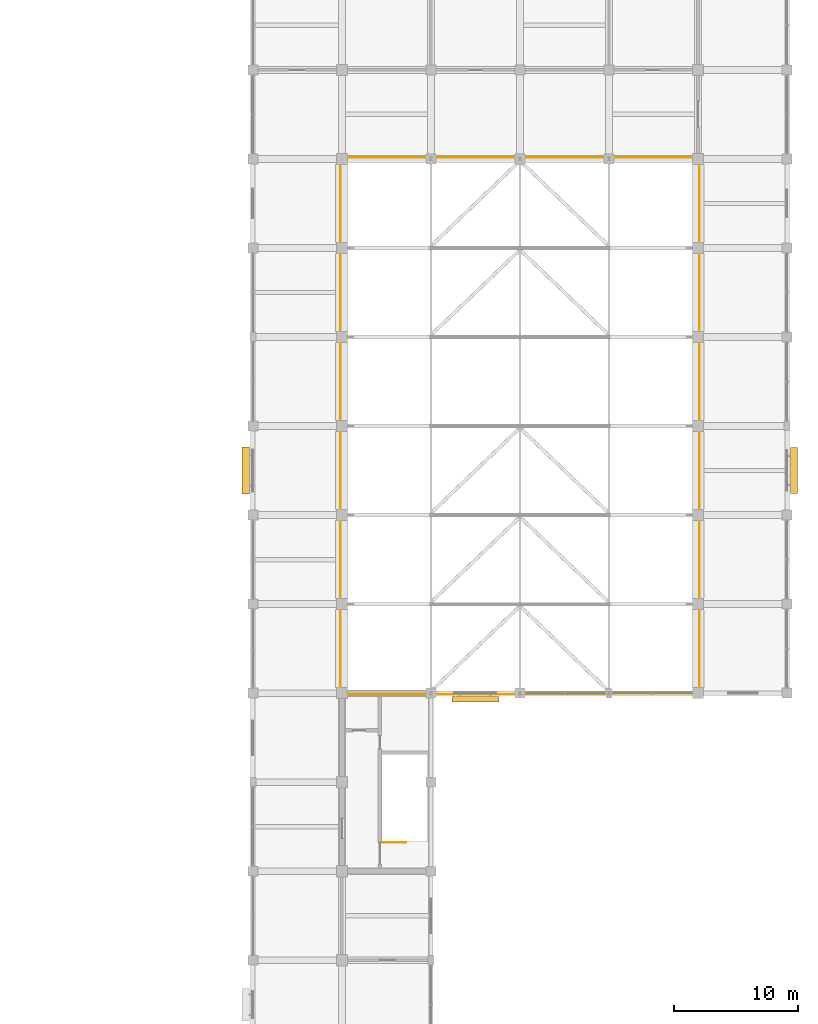
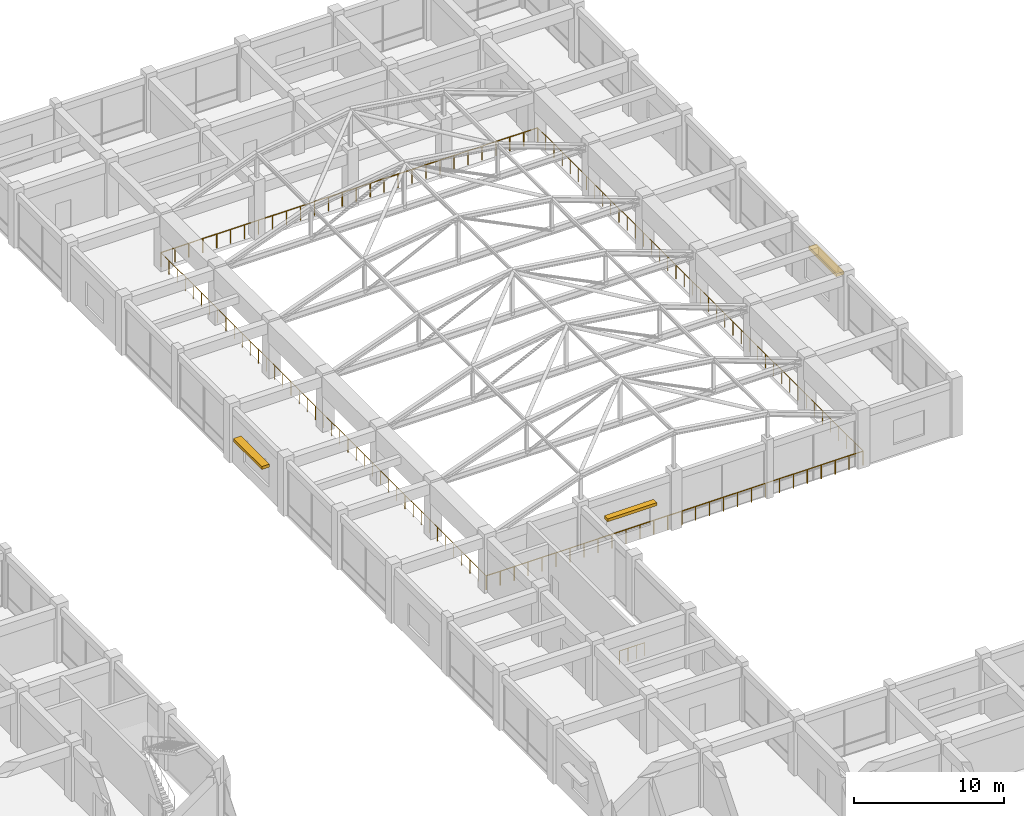
# One storey, part 75 of 75: 5 railings, 3 shading devices.
"""IFC4 building model written with IfcOpenShell, lengths in metres."""

from ifc_helpers import new_model, si_unit, direction, frame, origin, origin_2d, place, context, subcontext, project, spatial, rectangle, circle, extrude, material, type_object, element, save


model = new_model("IFC4")

# Units and contexts
model_context = context("Model", 3, precision=1e-05, world=origin(), true_north=direction((0.0, 1.0)))
body_context = subcontext(model_context, "Body", "Model", "MODEL_VIEW")
ifc_project = project(units=[si_unit("LENGTHUNIT", "METRE"), si_unit("AREAUNIT", "SQUARE_METRE"), si_unit("VOLUMEUNIT", "CUBIC_METRE"), si_unit("PLANEANGLEUNIT", "RADIAN"), si_unit("MASSUNIT", "GRAM", prefix="KILO")], contexts=[model_context])

# Site, building, storey
site_placement = place(None, origin())
site = spatial("IfcSite", under=ifc_project, at=site_placement, CompositionType="ELEMENT")
building_placement = place(site_placement, origin())
building = spatial("IfcBuilding", under=site, at=building_placement, Name="Cendaluz Park School", CompositionType="ELEMENT")
storey_placement = place(building_placement, frame((0.0, 0.0, 4.800048828125)))
storey = spatial("IfcBuildingStorey", under=building, at=storey_placement, Name="L01", CompositionType="ELEMENT", Elevation=4.800048828125)

# Railings
ifc_material_1 = material(Name="Wrought Iron")
railing_type_1 = type_object("IfcRailingType", Name="GR-ST01", PredefinedType="BALUSTRADE", material=ifc_material_1)
railing_1_placement = place(storey_placement, frame((140.0400390625, 45.52001953125, 0.0)))
element("IfcRailing", 1, at=railing_1_placement, inside=storey, type_object=railing_type_1, Name="GR-TOP-C8-L01", PredefinedType="BALUSTRADE", context=body_context, shape_type="SweptSolid", body=[
    extrude(circle(Radius=0.02392578125, at=origin_2d()), frame((0.0, 0.0, 1.076171875), z_axis=(1.0, 0.0, 0.0), x_axis=(0.0, 1.0, 0.0)), (0.0, 0.0, 1.0), 1.949951171875),
    extrude(circle(Radius=0.02099609375, at=origin_2d()), origin(), (0.0, 0.0, 1.0), 1.052001953125),
    extrude(circle(Radius=0.02099609375, at=origin_2d()), frame((0.64990234375, 0.0, 0.0)), (0.0, 0.0, 1.0), 1.052001953125),
    extrude(circle(Radius=0.02099609375, at=origin_2d()), frame((1.300048828125, 0.0, 0.0)), (0.0, 0.0, 1.0), 1.052001953125),
    extrude(circle(Radius=0.02099609375, at=origin_2d()), frame((1.949951171875, 0.0, 0.0)), (0.0, 0.0, 1.0), 1.052001953125),
])
ifc_material_2 = material(Name="Tempered Low-E Double Glazing", Category="glass")
railing_type_2 = type_object("IfcRailingType", Name="GR-VD01", PredefinedType="GUARDRAIL", material=ifc_material_2)
railing_2_placement = place(storey_placement, frame((136.679931640625, 57.47998046875, 0.0)))
element("IfcRailing", 2, at=railing_2_placement, inside=storey, type_object=railing_type_2, Name="GR-AH-VOID-1", PredefinedType="GUARDRAIL", context=body_context, shape_type="SweptSolid", body=[
    extrude(circle(Radius=0.02392578125, at=origin_2d()), frame((0.0, 0.0, 1.1259765625), z_axis=(1.0, 0.0, 0.0), x_axis=(0.0, 1.0, 0.0)), (0.0, 0.0, 1.0), 29.0400390625),
    extrude(circle(Radius=0.02099609375, at=origin_2d()), origin(), (0.0, 0.0, 1.0), 1.101806640625),
    extrude(circle(Radius=0.02099609375, at=origin_2d()), frame((1.075439453125, 0.0, 0.0)), (0.0, 0.0, 1.0), 1.101806640625),
    extrude(circle(Radius=0.02099609375, at=origin_2d()), frame((2.151123046875, 0.0, 0.0)), (0.0, 0.0, 1.0), 1.101806640625),
    extrude(circle(Radius=0.02099609375, at=origin_2d()), frame((3.2265625, 0.0, 0.0)), (0.0, 0.0, 1.0), 1.101806640625),
    extrude(circle(Radius=0.02099609375, at=origin_2d()), frame((4.30224609375, 0.0, 0.0)), (0.0, 0.0, 1.0), 1.101806640625),
    extrude(circle(Radius=0.02099609375, at=origin_2d()), frame((5.377685546875, 0.0, 0.0)), (0.0, 0.0, 1.0), 1.101806640625),
    extrude(circle(Radius=0.02099609375, at=origin_2d()), frame((6.453369140625, 0.0, 0.0)), (0.0, 0.0, 1.0), 1.101806640625),
    extrude(circle(Radius=0.02099609375, at=origin_2d()), frame((7.52880859375, 0.0, 0.0)), (0.0, 0.0, 1.0), 1.101806640625),
    extrude(circle(Radius=0.02099609375, at=origin_2d()), frame((8.6044921875, 0.0, 0.0)), (0.0, 0.0, 1.0), 1.101806640625),
    extrude(circle(Radius=0.02099609375, at=origin_2d()), frame((9.679931640625, 0.0, 0.0)), (0.0, 0.0, 1.0), 1.101806640625),
    extrude(circle(Radius=0.02099609375, at=origin_2d()), frame((10.755615234375, 0.0, 0.0)), (0.0, 0.0, 1.0), 1.101806640625),
    extrude(circle(Radius=0.02099609375, at=origin_2d()), frame((11.8310546875, 0.0, 0.0)), (0.0, 0.0, 1.0), 1.101806640625),
    extrude(circle(Radius=0.02099609375, at=origin_2d()), frame((12.90673828125, 0.0, 0.0)), (0.0, 0.0, 1.0), 1.101806640625),
    extrude(circle(Radius=0.02099609375, at=origin_2d()), frame((13.982177734375, 0.0, 0.0)), (0.0, 0.0, 1.0), 1.101806640625),
    extrude(circle(Radius=0.02099609375, at=origin_2d()), frame((15.057861328125, 0.0, 0.0)), (0.0, 0.0, 1.0), 1.101806640625),
    extrude(circle(Radius=0.02099609375, at=origin_2d()), frame((16.13330078125, 0.0, 0.0)), (0.0, 0.0, 1.0), 1.101806640625),
    extrude(circle(Radius=0.02099609375, at=origin_2d()), frame((17.208984375, 0.0, 0.0)), (0.0, 0.0, 1.0), 1.101806640625),
    extrude(circle(Radius=0.02099609375, at=origin_2d()), frame((18.284423828125, 0.0, 0.0)), (0.0, 0.0, 1.0), 1.101806640625),
    extrude(circle(Radius=0.02099609375, at=origin_2d()), frame((19.360107421875, 0.0, 0.0)), (0.0, 0.0, 1.0), 1.101806640625),
    extrude(circle(Radius=0.02099609375, at=origin_2d()), frame((20.435546875, 0.0, 0.0)), (0.0, 0.0, 1.0), 1.101806640625),
    extrude(circle(Radius=0.02099609375, at=origin_2d()), frame((21.51123046875, 0.0, 0.0)), (0.0, 0.0, 1.0), 1.101806640625),
    extrude(circle(Radius=0.02099609375, at=origin_2d()), frame((22.586669921875, 0.0, 0.0)), (0.0, 0.0, 1.0), 1.101806640625),
    extrude(circle(Radius=0.02099609375, at=origin_2d()), frame((23.662353515625, 0.0, 0.0)), (0.0, 0.0, 1.0), 1.101806640625),
    extrude(circle(Radius=0.02099609375, at=origin_2d()), frame((24.73779296875, 0.0, 0.0)), (0.0, 0.0, 1.0), 1.101806640625),
    extrude(circle(Radius=0.02099609375, at=origin_2d()), frame((25.8134765625, 0.0, 0.0)), (0.0, 0.0, 1.0), 1.101806640625),
    extrude(circle(Radius=0.02099609375, at=origin_2d()), frame((26.888916015625, 0.0, 0.0)), (0.0, 0.0, 1.0), 1.101806640625),
    extrude(circle(Radius=0.02099609375, at=origin_2d()), frame((27.964599609375, 0.0, 0.0)), (0.0, 0.0, 1.0), 1.101806640625),
    extrude(circle(Radius=0.02099609375, at=origin_2d()), frame((29.0400390625, 0.0, 0.0)), (0.0, 0.0, 1.0), 1.101806640625),
])
railing_3_placement = place(storey_placement, frame((165.719970703125, 57.47998046875, 0.0)))
element("IfcRailing", 3, at=railing_3_placement, inside=storey, type_object=railing_type_2, Name="GR-AH-VOID-2", PredefinedType="GUARDRAIL", context=body_context, shape_type="SweptSolid", body=[
    extrude(circle(Radius=0.02392578125, at=origin_2d()), frame((0.0, 0.0, 1.1259765625), z_axis=(0.0, 1.0, 0.0), x_axis=(-1.0, 0.0, 0.0)), (0.0, 0.0, 1.0), 43.43994140625),
    extrude(circle(Radius=0.02099609375, at=origin_2d()), origin(), (0.0, 0.0, 1.0), 1.101806640625),
    extrude(circle(Radius=0.02099609375, at=origin_2d()), frame((0.0, 1.0859375, 0.0)), (0.0, 0.0, 1.0), 1.101806640625),
    extrude(circle(Radius=0.02099609375, at=origin_2d()), frame((0.0, 2.171875, 0.0)), (0.0, 0.0, 1.0), 1.101806640625),
    extrude(circle(Radius=0.02099609375, at=origin_2d()), frame((0.0, 3.258056640625, 0.0)), (0.0, 0.0, 1.0), 1.101806640625),
    extrude(circle(Radius=0.02099609375, at=origin_2d()), frame((0.0, 4.343994140625, 0.0)), (0.0, 0.0, 1.0), 1.101806640625),
    extrude(circle(Radius=0.02099609375, at=origin_2d()), frame((0.0, 5.429931640625, 0.0)), (0.0, 0.0, 1.0), 1.101806640625),
    extrude(circle(Radius=0.02099609375, at=origin_2d()), frame((0.0, 6.51611328125, 0.0)), (0.0, 0.0, 1.0), 1.101806640625),
    extrude(circle(Radius=0.02099609375, at=origin_2d()), frame((0.0, 7.60205078125, 0.0)), (0.0, 0.0, 1.0), 1.101806640625),
    extrude(circle(Radius=0.02099609375, at=origin_2d()), frame((0.0, 8.68798828125, 0.0)), (0.0, 0.0, 1.0), 1.101806640625),
    extrude(circle(Radius=0.02099609375, at=origin_2d()), frame((0.0, 9.77392578125, 0.0)), (0.0, 0.0, 1.0), 1.101806640625),
    extrude(circle(Radius=0.02099609375, at=origin_2d()), frame((0.0, 10.85986328125, 0.0)), (0.0, 0.0, 1.0), 1.101806640625),
    extrude(circle(Radius=0.02099609375, at=origin_2d()), frame((0.0, 11.946044921875, 0.0)), (0.0, 0.0, 1.0), 1.101806640625),
    extrude(circle(Radius=0.02099609375, at=origin_2d()), frame((0.0, 13.031982421875, 0.0)), (0.0, 0.0, 1.0), 1.101806640625),
    extrude(circle(Radius=0.02099609375, at=origin_2d()), frame((0.0, 14.117919921875, 0.0)), (0.0, 0.0, 1.0), 1.101806640625),
    extrude(circle(Radius=0.02099609375, at=origin_2d()), frame((0.0, 15.203857421875, 0.0)), (0.0, 0.0, 1.0), 1.101806640625),
    extrude(circle(Radius=0.02099609375, at=origin_2d()), frame((0.0, 16.2900390625, 0.0)), (0.0, 0.0, 1.0), 1.101806640625),
    extrude(circle(Radius=0.02099609375, at=origin_2d()), frame((0.0, 17.3759765625, 0.0)), (0.0, 0.0, 1.0), 1.101806640625),
    extrude(circle(Radius=0.02099609375, at=origin_2d()), frame((0.0, 18.4619140625, 0.0)), (0.0, 0.0, 1.0), 1.101806640625),
    extrude(circle(Radius=0.02099609375, at=origin_2d()), frame((0.0, 19.5478515625, 0.0)), (0.0, 0.0, 1.0), 1.101806640625),
    extrude(circle(Radius=0.02099609375, at=origin_2d()), frame((0.0, 20.634033203125, 0.0)), (0.0, 0.0, 1.0), 1.101806640625),
    extrude(circle(Radius=0.02099609375, at=origin_2d()), frame((0.0, 21.719970703125, 0.0)), (0.0, 0.0, 1.0), 1.101806640625),
    extrude(circle(Radius=0.02099609375, at=origin_2d()), frame((0.0, 22.805908203125, 0.0)), (0.0, 0.0, 1.0), 1.101806640625),
    extrude(circle(Radius=0.02099609375, at=origin_2d()), frame((0.0, 23.89208984375, 0.0)), (0.0, 0.0, 1.0), 1.101806640625),
    extrude(circle(Radius=0.02099609375, at=origin_2d()), frame((0.0, 24.97802734375, 0.0)), (0.0, 0.0, 1.0), 1.101806640625),
    extrude(circle(Radius=0.02099609375, at=origin_2d()), frame((0.0, 26.06396484375, 0.0)), (0.0, 0.0, 1.0), 1.101806640625),
    extrude(circle(Radius=0.02099609375, at=origin_2d()), frame((0.0, 27.14990234375, 0.0)), (0.0, 0.0, 1.0), 1.101806640625),
    extrude(circle(Radius=0.02099609375, at=origin_2d()), frame((0.0, 28.23583984375, 0.0)), (0.0, 0.0, 1.0), 1.101806640625),
    extrude(circle(Radius=0.02099609375, at=origin_2d()), frame((0.0, 29.322021484375, 0.0)), (0.0, 0.0, 1.0), 1.101806640625),
    extrude(circle(Radius=0.02099609375, at=origin_2d()), frame((0.0, 30.407958984375, 0.0)), (0.0, 0.0, 1.0), 1.101806640625),
    extrude(circle(Radius=0.02099609375, at=origin_2d()), frame((0.0, 31.493896484375, 0.0)), (0.0, 0.0, 1.0), 1.101806640625),
    extrude(circle(Radius=0.02099609375, at=origin_2d()), frame((0.0, 32.580078125, 0.0)), (0.0, 0.0, 1.0), 1.101806640625),
    extrude(circle(Radius=0.02099609375, at=origin_2d()), frame((0.0, 33.666015625, 0.0)), (0.0, 0.0, 1.0), 1.101806640625),
    extrude(circle(Radius=0.02099609375, at=origin_2d()), frame((0.0, 34.751953125, 0.0)), (0.0, 0.0, 1.0), 1.101806640625),
    extrude(circle(Radius=0.02099609375, at=origin_2d()), frame((0.0, 35.837890625, 0.0)), (0.0, 0.0, 1.0), 1.101806640625),
    extrude(circle(Radius=0.02099609375, at=origin_2d()), frame((0.0, 36.923828125, 0.0)), (0.0, 0.0, 1.0), 1.101806640625),
    extrude(circle(Radius=0.02099609375, at=origin_2d()), frame((0.0, 38.010009765625, 0.0)), (0.0, 0.0, 1.0), 1.101806640625),
    extrude(circle(Radius=0.02099609375, at=origin_2d()), frame((0.0, 39.095947265625, 0.0)), (0.0, 0.0, 1.0), 1.101806640625),
    extrude(circle(Radius=0.02099609375, at=origin_2d()), frame((0.0, 40.181884765625, 0.0)), (0.0, 0.0, 1.0), 1.101806640625),
    extrude(circle(Radius=0.02099609375, at=origin_2d()), frame((0.0, 41.26806640625, 0.0)), (0.0, 0.0, 1.0), 1.101806640625),
    extrude(circle(Radius=0.02099609375, at=origin_2d()), frame((0.0, 42.35400390625, 0.0)), (0.0, 0.0, 1.0), 1.101806640625),
    extrude(circle(Radius=0.02099609375, at=origin_2d()), frame((0.0, 43.43994140625, 0.0)), (0.0, 0.0, 1.0), 1.101806640625),
])
railing_4_placement = place(storey_placement, frame((165.719970703125, 100.919921875, 0.0)))
element("IfcRailing", 4, at=railing_4_placement, inside=storey, type_object=railing_type_2, Name="GR-AH-VOID-3", PredefinedType="GUARDRAIL", context=body_context, shape_type="SweptSolid", body=[
    extrude(circle(Radius=0.02392578125, at=origin_2d()), frame((0.0, 0.0, 1.1259765625), z_axis=(-1.0, 0.0, 0.0), x_axis=(0.0, -1.0, 0.0)), (0.0, 0.0, 1.0), 29.0400390625),
    extrude(circle(Radius=0.02099609375, at=origin_2d()), origin(), (0.0, 0.0, 1.0), 1.101806640625),
    extrude(circle(Radius=0.02099609375, at=origin_2d()), frame((-1.075439453125, 0.0, 0.0)), (0.0, 0.0, 1.0), 1.101806640625),
    extrude(circle(Radius=0.02099609375, at=origin_2d()), frame((-2.151123046875, 0.0, 0.0)), (0.0, 0.0, 1.0), 1.101806640625),
    extrude(circle(Radius=0.02099609375, at=origin_2d()), frame((-3.2265625, 0.0, 0.0)), (0.0, 0.0, 1.0), 1.101806640625),
    extrude(circle(Radius=0.02099609375, at=origin_2d()), frame((-4.30224609375, 0.0, 0.0)), (0.0, 0.0, 1.0), 1.101806640625),
    extrude(circle(Radius=0.02099609375, at=origin_2d()), frame((-5.377685546875, 0.0, 0.0)), (0.0, 0.0, 1.0), 1.101806640625),
    extrude(circle(Radius=0.02099609375, at=origin_2d()), frame((-6.453369140625, 0.0, 0.0)), (0.0, 0.0, 1.0), 1.101806640625),
    extrude(circle(Radius=0.02099609375, at=origin_2d()), frame((-7.52880859375, 0.0, 0.0)), (0.0, 0.0, 1.0), 1.101806640625),
    extrude(circle(Radius=0.02099609375, at=origin_2d()), frame((-8.6044921875, 0.0, 0.0)), (0.0, 0.0, 1.0), 1.101806640625),
    extrude(circle(Radius=0.02099609375, at=origin_2d()), frame((-9.679931640625, 0.0, 0.0)), (0.0, 0.0, 1.0), 1.101806640625),
    extrude(circle(Radius=0.02099609375, at=origin_2d()), frame((-10.755615234375, 0.0, 0.0)), (0.0, 0.0, 1.0), 1.101806640625),
    extrude(circle(Radius=0.02099609375, at=origin_2d()), frame((-11.8310546875, 0.0, 0.0)), (0.0, 0.0, 1.0), 1.101806640625),
    extrude(circle(Radius=0.02099609375, at=origin_2d()), frame((-12.90673828125, 0.0, 0.0)), (0.0, 0.0, 1.0), 1.101806640625),
    extrude(circle(Radius=0.02099609375, at=origin_2d()), frame((-13.982177734375, 0.0, 0.0)), (0.0, 0.0, 1.0), 1.101806640625),
    extrude(circle(Radius=0.02099609375, at=origin_2d()), frame((-15.057861328125, 0.0, 0.0)), (0.0, 0.0, 1.0), 1.101806640625),
    extrude(circle(Radius=0.02099609375, at=origin_2d()), frame((-16.13330078125, 0.0, 0.0)), (0.0, 0.0, 1.0), 1.101806640625),
    extrude(circle(Radius=0.02099609375, at=origin_2d()), frame((-17.208984375, 0.0, 0.0)), (0.0, 0.0, 1.0), 1.101806640625),
    extrude(circle(Radius=0.02099609375, at=origin_2d()), frame((-18.284423828125, 0.0, 0.0)), (0.0, 0.0, 1.0), 1.101806640625),
    extrude(circle(Radius=0.02099609375, at=origin_2d()), frame((-19.360107421875, 0.0, 0.0)), (0.0, 0.0, 1.0), 1.101806640625),
    extrude(circle(Radius=0.02099609375, at=origin_2d()), frame((-20.435546875, 0.0, 0.0)), (0.0, 0.0, 1.0), 1.101806640625),
    extrude(circle(Radius=0.02099609375, at=origin_2d()), frame((-21.51123046875, 0.0, 0.0)), (0.0, 0.0, 1.0), 1.101806640625),
    extrude(circle(Radius=0.02099609375, at=origin_2d()), frame((-22.586669921875, 0.0, 0.0)), (0.0, 0.0, 1.0), 1.101806640625),
    extrude(circle(Radius=0.02099609375, at=origin_2d()), frame((-23.662353515625, 0.0, 0.0)), (0.0, 0.0, 1.0), 1.101806640625),
    extrude(circle(Radius=0.02099609375, at=origin_2d()), frame((-24.73779296875, 0.0, 0.0)), (0.0, 0.0, 1.0), 1.101806640625),
    extrude(circle(Radius=0.02099609375, at=origin_2d()), frame((-25.8134765625, 0.0, 0.0)), (0.0, 0.0, 1.0), 1.101806640625),
    extrude(circle(Radius=0.02099609375, at=origin_2d()), frame((-26.888916015625, 0.0, 0.0)), (0.0, 0.0, 1.0), 1.101806640625),
    extrude(circle(Radius=0.02099609375, at=origin_2d()), frame((-27.964599609375, 0.0, 0.0)), (0.0, 0.0, 1.0), 1.101806640625),
    extrude(circle(Radius=0.02099609375, at=origin_2d()), frame((-29.0400390625, 0.0, 0.0)), (0.0, 0.0, 1.0), 1.101806640625),
])
railing_5_placement = place(storey_placement, frame((136.679931640625, 100.919921875, 0.0)))
element("IfcRailing", 5, at=railing_5_placement, inside=storey, type_object=railing_type_2, Name="GR-AH-VOID-4", PredefinedType="GUARDRAIL", context=body_context, shape_type="SweptSolid", body=[
    extrude(circle(Radius=0.02392578125, at=origin_2d()), frame((0.0, 0.0, 1.1259765625), z_axis=(0.0, -1.0, 0.0), x_axis=(1.0, 0.0, 0.0)), (0.0, 0.0, 1.0), 43.43994140625),
    extrude(circle(Radius=0.02099609375, at=origin_2d()), origin(), (0.0, 0.0, 1.0), 1.101806640625),
    extrude(circle(Radius=0.02099609375, at=origin_2d()), frame((0.0, -1.0859375, 0.0)), (0.0, 0.0, 1.0), 1.101806640625),
    extrude(circle(Radius=0.02099609375, at=origin_2d()), frame((0.0, -2.171875, 0.0)), (0.0, 0.0, 1.0), 1.101806640625),
    extrude(circle(Radius=0.02099609375, at=origin_2d()), frame((0.0, -3.258056640625, 0.0)), (0.0, 0.0, 1.0), 1.101806640625),
    extrude(circle(Radius=0.02099609375, at=origin_2d()), frame((0.0, -4.343994140625, 0.0)), (0.0, 0.0, 1.0), 1.101806640625),
    extrude(circle(Radius=0.02099609375, at=origin_2d()), frame((0.0, -5.429931640625, 0.0)), (0.0, 0.0, 1.0), 1.101806640625),
    extrude(circle(Radius=0.02099609375, at=origin_2d()), frame((0.0, -6.51611328125, 0.0)), (0.0, 0.0, 1.0), 1.101806640625),
    extrude(circle(Radius=0.02099609375, at=origin_2d()), frame((0.0, -7.60205078125, 0.0)), (0.0, 0.0, 1.0), 1.101806640625),
    extrude(circle(Radius=0.02099609375, at=origin_2d()), frame((0.0, -8.68798828125, 0.0)), (0.0, 0.0, 1.0), 1.101806640625),
    extrude(circle(Radius=0.02099609375, at=origin_2d()), frame((0.0, -9.77392578125, 0.0)), (0.0, 0.0, 1.0), 1.101806640625),
    extrude(circle(Radius=0.02099609375, at=origin_2d()), frame((0.0, -10.85986328125, 0.0)), (0.0, 0.0, 1.0), 1.101806640625),
    extrude(circle(Radius=0.02099609375, at=origin_2d()), frame((0.0, -11.946044921875, 0.0)), (0.0, 0.0, 1.0), 1.101806640625),
    extrude(circle(Radius=0.02099609375, at=origin_2d()), frame((0.0, -13.031982421875, 0.0)), (0.0, 0.0, 1.0), 1.101806640625),
    extrude(circle(Radius=0.02099609375, at=origin_2d()), frame((0.0, -14.117919921875, 0.0)), (0.0, 0.0, 1.0), 1.101806640625),
    extrude(circle(Radius=0.02099609375, at=origin_2d()), frame((0.0, -15.203857421875, 0.0)), (0.0, 0.0, 1.0), 1.101806640625),
    extrude(circle(Radius=0.02099609375, at=origin_2d()), frame((0.0, -16.2900390625, 0.0)), (0.0, 0.0, 1.0), 1.101806640625),
    extrude(circle(Radius=0.02099609375, at=origin_2d()), frame((0.0, -17.3759765625, 0.0)), (0.0, 0.0, 1.0), 1.101806640625),
    extrude(circle(Radius=0.02099609375, at=origin_2d()), frame((0.0, -18.4619140625, 0.0)), (0.0, 0.0, 1.0), 1.101806640625),
    extrude(circle(Radius=0.02099609375, at=origin_2d()), frame((0.0, -19.5478515625, 0.0)), (0.0, 0.0, 1.0), 1.101806640625),
    extrude(circle(Radius=0.02099609375, at=origin_2d()), frame((0.0, -20.634033203125, 0.0)), (0.0, 0.0, 1.0), 1.101806640625),
    extrude(circle(Radius=0.02099609375, at=origin_2d()), frame((0.0, -21.719970703125, 0.0)), (0.0, 0.0, 1.0), 1.101806640625),
    extrude(circle(Radius=0.02099609375, at=origin_2d()), frame((0.0, -22.805908203125, 0.0)), (0.0, 0.0, 1.0), 1.101806640625),
    extrude(circle(Radius=0.02099609375, at=origin_2d()), frame((0.0, -23.89208984375, 0.0)), (0.0, 0.0, 1.0), 1.101806640625),
    extrude(circle(Radius=0.02099609375, at=origin_2d()), frame((0.0, -24.97802734375, 0.0)), (0.0, 0.0, 1.0), 1.101806640625),
    extrude(circle(Radius=0.02099609375, at=origin_2d()), frame((0.0, -26.06396484375, 0.0)), (0.0, 0.0, 1.0), 1.101806640625),
    extrude(circle(Radius=0.02099609375, at=origin_2d()), frame((0.0, -27.14990234375, 0.0)), (0.0, 0.0, 1.0), 1.101806640625),
    extrude(circle(Radius=0.02099609375, at=origin_2d()), frame((0.0, -28.23583984375, 0.0)), (0.0, 0.0, 1.0), 1.101806640625),
    extrude(circle(Radius=0.02099609375, at=origin_2d()), frame((0.0, -29.322021484375, 0.0)), (0.0, 0.0, 1.0), 1.101806640625),
    extrude(circle(Radius=0.02099609375, at=origin_2d()), frame((0.0, -30.407958984375, 0.0)), (0.0, 0.0, 1.0), 1.101806640625),
    extrude(circle(Radius=0.02099609375, at=origin_2d()), frame((0.0, -31.493896484375, 0.0)), (0.0, 0.0, 1.0), 1.101806640625),
    extrude(circle(Radius=0.02099609375, at=origin_2d()), frame((0.0, -32.580078125, 0.0)), (0.0, 0.0, 1.0), 1.101806640625),
    extrude(circle(Radius=0.02099609375, at=origin_2d()), frame((0.0, -33.666015625, 0.0)), (0.0, 0.0, 1.0), 1.101806640625),
    extrude(circle(Radius=0.02099609375, at=origin_2d()), frame((0.0, -34.751953125, 0.0)), (0.0, 0.0, 1.0), 1.101806640625),
    extrude(circle(Radius=0.02099609375, at=origin_2d()), frame((0.0, -35.837890625, 0.0)), (0.0, 0.0, 1.0), 1.101806640625),
    extrude(circle(Radius=0.02099609375, at=origin_2d()), frame((0.0, -36.923828125, 0.0)), (0.0, 0.0, 1.0), 1.101806640625),
    extrude(circle(Radius=0.02099609375, at=origin_2d()), frame((0.0, -38.010009765625, 0.0)), (0.0, 0.0, 1.0), 1.101806640625),
    extrude(circle(Radius=0.02099609375, at=origin_2d()), frame((0.0, -39.095947265625, 0.0)), (0.0, 0.0, 1.0), 1.101806640625),
    extrude(circle(Radius=0.02099609375, at=origin_2d()), frame((0.0, -40.181884765625, 0.0)), (0.0, 0.0, 1.0), 1.101806640625),
    extrude(circle(Radius=0.02099609375, at=origin_2d()), frame((0.0, -41.26806640625, 0.0)), (0.0, 0.0, 1.0), 1.101806640625),
    extrude(circle(Radius=0.02099609375, at=origin_2d()), frame((0.0, -42.35400390625, 0.0)), (0.0, 0.0, 1.0), 1.101806640625),
    extrude(circle(Radius=0.02099609375, at=origin_2d()), frame((0.0, -43.43994140625, 0.0)), (0.0, 0.0, 1.0), 1.101806640625),
])

# Shading devices
ifc_material_3 = material(Name="Anodised Aluminium 6063-T6", Category="aluminium")
shading_device_type_1 = type_object("IfcShadingDeviceType", Name="SD-01", PredefinedType="JALOUSIE", material=ifc_material_3)
shading_device_1_placement = place(storey_placement, frame((129.0400390625, 75.60009765625, 2.7197265625), z_axis=(0.0, 0.0, 1.0), x_axis=(0.0, 1.0, 0.0)))
element("IfcShadingDevice", 6, at=shading_device_1_placement, inside=storey, type_object=shading_device_type_1, Name="SD-L01-044", PredefinedType="JALOUSIE", context=body_context, shape_type="SweptSolid", body=[
    extrude(rectangle(XDim=3.800048828125, YDim=0.60009765625, at=origin_2d()), origin(), (0.0, 0.0, 1.0), 0.239990234375),
])
shading_device_2_placement = place(storey_placement, frame((173.360107421875, 75.612548828125, 2.8701171875), z_axis=(0.0, 0.0, 1.0), x_axis=(0.0, 1.0, 0.0)))
element("IfcShadingDevice", 7, at=shading_device_2_placement, inside=storey, type_object=shading_device_type_1, Name="SD-L01-047", PredefinedType="JALOUSIE", context=body_context, shape_type="SweptSolid", body=[
    extrude(rectangle(XDim=3.699951171875, YDim=0.60009765625, at=origin_2d()), origin(), (0.0, 0.0, 1.0), 0.239990234375),
])
ifc_material_4 = material(Name="Architectural Bronze")
shading_device_type_2 = type_object("IfcShadingDeviceType", Name="SD-02", PredefinedType="SHUTTER", material=ifc_material_4)
shading_device_3_placement = place(storey_placement, frame((147.60009765625, 57.114990234375, 2.7197265625), z_axis=(0.0, 0.0, 1.0), x_axis=(1.0, 0.0, 0.0)))
element("IfcShadingDevice", 8, at=shading_device_3_placement, inside=storey, type_object=shading_device_type_2, Name="SD-L01-045", PredefinedType="SHUTTER", context=body_context, shape_type="SweptSolid", body=[
    extrude(rectangle(XDim=3.800048828125, YDim=0.449951171875, at=origin_2d()), origin(), (0.0, 0.0, 1.0), 0.239990234375),
])

save(model, "model.ifc")
